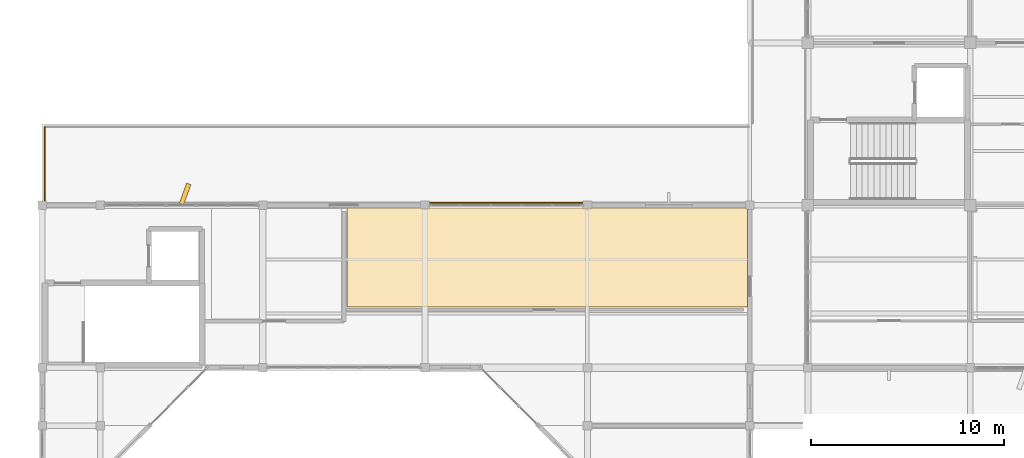
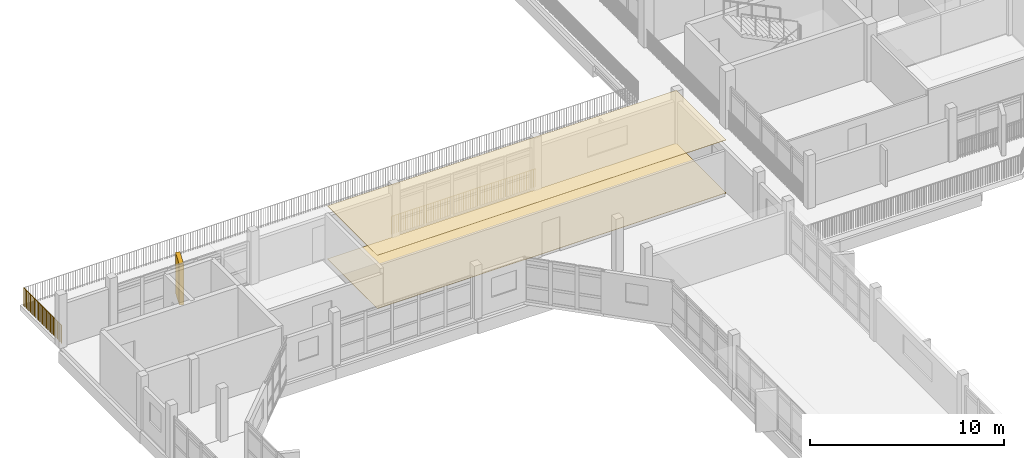
# One storey, part 25 of 33: 3 coverings, 2 railings.
"""IFC4 building model written with IfcOpenShell, lengths in metres."""

from ifc_helpers import new_model, si_unit, direction, frame, origin, origin_2d, place, context, subcontext, project, spatial, polyline, rectangle, circle, outline, extrude, material, layer, layer_set, type_object, element, save


model = new_model("IFC4")

# Units and contexts
model_context = context("Model", 3, precision=1e-05, world=origin(), true_north=direction((0.0, 1.0)))
body_context = subcontext(model_context, "Body", "Model", "MODEL_VIEW")
ifc_project = project(units=[si_unit("LENGTHUNIT", "METRE"), si_unit("AREAUNIT", "SQUARE_METRE"), si_unit("VOLUMEUNIT", "CUBIC_METRE"), si_unit("PLANEANGLEUNIT", "RADIAN"), si_unit("MASSUNIT", "GRAM", prefix="KILO")], contexts=[model_context])

# Site, building, storey
site_placement = place(None, origin())
site = spatial("IfcSite", under=ifc_project, at=site_placement, CompositionType="ELEMENT")
building_placement = place(site_placement, origin())
building = spatial("IfcBuilding", under=site, at=building_placement, Name="Vanh Quang Courtyard School", CompositionType="ELEMENT")
storey_placement = place(building_placement, frame((0.0, 0.0, 18.60009765625)))
storey = spatial("IfcBuildingStorey", under=building, at=storey_placement, Name="L05", CompositionType="ELEMENT", Elevation=18.60009765625)

# Coverings
ifc_material_1 = material(Name="Perforated mineral-fibre acoustic ceiling board")
ifc_layer_1 = layer(ifc_material_1, 0.02490234375)
ifc_layer_set_1 = layer_set([ifc_layer_1], Name="Perforated mineral-fibre acoustic ceiling board")
covering_type_1 = type_object("IfcCoveringType", Name="COV-CEIL-ACOUSTIC", PredefinedType="CEILING", material=ifc_layer_set_1)
covering_1_placement = place(storey_placement, frame((0.0, 0.0, 3.324951171875)))
element("IfcCovering", 1, at=covering_1_placement, inside=storey, type_object=covering_type_1, Name="Covering CV-CL1 (L05)", PredefinedType="CEILING", context=body_context, shape_type="SweptSolid", body=[
    extrude(outline(polyline([(53.550048828125, 79.659912109375), (53.550048828125, 79.660888671875), (53.55029296875, 79.662109375), (53.55029296875, 79.662841796875), (53.55078125, 79.663818359375), (53.55126953125, 79.664794921875), (53.5517578125, 79.66552734375), (53.55224609375, 79.666259765625), (53.552978515625, 79.6669921875), (53.5537109375, 79.667724609375), (53.554443359375, 79.668212890625), (53.555419921875, 79.668701171875), (53.55615234375, 79.669189453125), (53.55712890625, 79.669677734375), (53.55810546875, 79.669921875), (53.55908203125, 79.669921875), (53.56005859375, 79.669921875), (74.260009765625, 79.669921875), (74.260986328125, 79.669921875), (74.261962890625, 79.669921875), (74.262939453125, 79.669677734375), (74.263916015625, 79.669189453125), (74.2646484375, 79.668701171875), (74.265625, 79.668212890625), (74.266357421875, 79.667724609375), (74.26708984375, 79.6669921875), (74.267578125, 79.666259765625), (74.268310546875, 79.66552734375), (74.268798828125, 79.664794921875), (74.269287109375, 79.663818359375), (74.26953125, 79.662841796875), (74.269775390625, 79.662109375), (74.27001953125, 79.660888671875), (74.27001953125, 79.659912109375), (74.27001953125, 74.5400390625), (74.27001953125, 74.5390625), (74.269775390625, 74.5380859375), (74.26953125, 74.537109375), (74.269287109375, 74.5361328125), (74.268798828125, 74.535400390625), (74.268310546875, 74.534423828125), (74.267578125, 74.53369140625), (74.26708984375, 74.532958984375), (74.266357421875, 74.5322265625), (74.265625, 74.53173828125), (74.2646484375, 74.53125), (74.263916015625, 74.53076171875), (74.262939453125, 74.530517578125), (74.261962890625, 74.5302734375), (74.260986328125, 74.530029296875), (74.260009765625, 74.530029296875), (53.56005859375, 74.530029296875), (53.55908203125, 74.530029296875), (53.55810546875, 74.5302734375), (53.55712890625, 74.530517578125), (53.55615234375, 74.53076171875), (53.555419921875, 74.53125), (53.554443359375, 74.53173828125), (53.5537109375, 74.5322265625), (53.552978515625, 74.532958984375), (53.55224609375, 74.53369140625), (53.5517578125, 74.534423828125), (53.55126953125, 74.535400390625), (53.55078125, 74.5361328125), (53.55029296875, 74.537109375), (53.55029296875, 74.5380859375), (53.550048828125, 74.5390625), (53.550048828125, 74.5400390625), (53.550048828125, 79.659912109375)])), origin(), (0.0, 0.0, 1.0), 0.02490234375),
])
ifc_material_2 = material(Name="Polished cementitious terrazzo tile", Category="concrete")
ifc_layer_2 = layer(ifc_material_2, 0.02001953125)
ifc_layer_set_2 = layer_set([ifc_layer_2], Name="Polished cementitious terrazzo tile")
covering_type_2 = type_object("IfcCoveringType", Name="COV-FLR-TERRAZZO", PredefinedType="FLOORING", material=ifc_layer_set_2)
covering_2_placement = place(storey_placement, origin())
element("IfcCovering", 2, at=covering_2_placement, inside=storey, type_object=covering_type_2, Name="Covering CV-FL1 (L05)", PredefinedType="FLOORING", context=body_context, shape_type="SweptSolid", body=[
    extrude(outline(polyline([(53.550048828125, 79.659912109375), (53.550048828125, 79.660888671875), (53.55029296875, 79.662109375), (53.55029296875, 79.662841796875), (53.55078125, 79.663818359375), (53.55126953125, 79.664794921875), (53.5517578125, 79.66552734375), (53.55224609375, 79.666259765625), (53.552978515625, 79.6669921875), (53.5537109375, 79.667724609375), (53.554443359375, 79.668212890625), (53.555419921875, 79.668701171875), (53.55615234375, 79.669189453125), (53.55712890625, 79.669677734375), (53.55810546875, 79.669921875), (53.55908203125, 79.669921875), (53.56005859375, 79.669921875), (74.260009765625, 79.669921875), (74.260986328125, 79.669921875), (74.261962890625, 79.669921875), (74.262939453125, 79.669677734375), (74.263916015625, 79.669189453125), (74.2646484375, 79.668701171875), (74.265625, 79.668212890625), (74.266357421875, 79.667724609375), (74.26708984375, 79.6669921875), (74.267578125, 79.666259765625), (74.268310546875, 79.66552734375), (74.268798828125, 79.664794921875), (74.269287109375, 79.663818359375), (74.26953125, 79.662841796875), (74.269775390625, 79.662109375), (74.27001953125, 79.660888671875), (74.27001953125, 79.659912109375), (74.27001953125, 74.5400390625), (74.27001953125, 74.5390625), (74.269775390625, 74.5380859375), (74.26953125, 74.537109375), (74.269287109375, 74.5361328125), (74.268798828125, 74.535400390625), (74.268310546875, 74.534423828125), (74.267578125, 74.53369140625), (74.26708984375, 74.532958984375), (74.266357421875, 74.5322265625), (74.265625, 74.53173828125), (74.2646484375, 74.53125), (74.263916015625, 74.53076171875), (74.262939453125, 74.530517578125), (74.261962890625, 74.5302734375), (74.260986328125, 74.530029296875), (74.260009765625, 74.530029296875), (53.56005859375, 74.530029296875), (53.55908203125, 74.530029296875), (53.55810546875, 74.5302734375), (53.55712890625, 74.530517578125), (53.55615234375, 74.53076171875), (53.555419921875, 74.53125), (53.554443359375, 74.53173828125), (53.5537109375, 74.5322265625), (53.552978515625, 74.532958984375), (53.55224609375, 74.53369140625), (53.5517578125, 74.534423828125), (53.55126953125, 74.535400390625), (53.55078125, 74.5361328125), (53.55029296875, 74.537109375), (53.55029296875, 74.5380859375), (53.550048828125, 74.5390625), (53.550048828125, 74.5400390625), (53.550048828125, 79.659912109375)])), origin(), (0.0, 0.0, 1.0), 0.02001953125),
])
ifc_material_3 = material(Name="Board-marked precast concrete C40/50", Category="concrete")
ifc_layer_3 = layer(ifc_material_3, 0.239990234375)
ifc_layer_set_3 = layer_set([ifc_layer_3], Name="Board-marked precast concrete C40/50")
covering_type_3 = type_object("IfcCoveringType", Name="COV-HOOD-CONC", PredefinedType="CLADDING", material=ifc_layer_set_3)
covering_3_placement = place(storey_placement, frame((45.18994140625, 80.385009765625, -0.000244140625), z_axis=(0.0, 0.0, 1.0), x_axis=(0.340379550213, 0.94028812701, 0.0)))
element("IfcCovering", 3, at=covering_3_placement, inside=storey, type_object=covering_type_3, Name="Covering CH-01 (L05)", PredefinedType="CLADDING", context=body_context, shape_type="SweptSolid", body=[
    extrude(rectangle(XDim=1.11669921875, YDim=0.239990234375, at=origin_2d()), origin(), (0.0, 0.0, 1.0), 2.56005859375),
])

# Railings
ifc_material_4 = material(Name="Galvanised painted steel EN 10025-2 S355J2", Category="steel")
railing_type = type_object("IfcRailingType", Name="RAIL-GUARD-1150", PredefinedType="BALUSTRADE", material=ifc_material_4)
railing_1_placement = place(storey_placement, frame((37.93994140625, 79.981689453125, 0.0)))
element("IfcRailing", 4, at=railing_1_placement, inside=storey, type_object=railing_type, Name="Railing GR-01 (L05)", PredefinedType="BALUSTRADE", context=body_context, shape_type="SweptSolid", body=[
    extrude(circle(Radius=0.02392578125, at=origin_2d()), frame((0.0, 0.0, 1.1259765625), z_axis=(0.0, 1.0, 0.0), x_axis=(-1.0, 0.0, 0.0)), (0.0, 0.0, 1.0), 3.87841796875),
    extrude(circle(Radius=0.02099609375, at=origin_2d()), origin(), (0.0, 0.0, 1.0), 1.101806640625),
    extrude(circle(Radius=0.02099609375, at=origin_2d()), frame((0.0, 0.138427734375, 0.0)), (0.0, 0.0, 1.0), 1.101806640625),
    extrude(circle(Radius=0.02099609375, at=origin_2d()), frame((0.0, 0.277099609375, 0.0)), (0.0, 0.0, 1.0), 1.101806640625),
    extrude(circle(Radius=0.02099609375, at=origin_2d()), frame((0.0, 0.41552734375, 0.0)), (0.0, 0.0, 1.0), 1.101806640625),
    extrude(circle(Radius=0.02099609375, at=origin_2d()), frame((0.0, 0.553955078125, 0.0)), (0.0, 0.0, 1.0), 1.101806640625),
    extrude(circle(Radius=0.02099609375, at=origin_2d()), frame((0.0, 0.692626953125, 0.0)), (0.0, 0.0, 1.0), 1.101806640625),
    extrude(circle(Radius=0.02099609375, at=origin_2d()), frame((0.0, 0.8310546875, 0.0)), (0.0, 0.0, 1.0), 1.101806640625),
    extrude(circle(Radius=0.02099609375, at=origin_2d()), frame((0.0, 0.9697265625, 0.0)), (0.0, 0.0, 1.0), 1.101806640625),
    extrude(circle(Radius=0.02099609375, at=origin_2d()), frame((0.0, 1.108154296875, 0.0)), (0.0, 0.0, 1.0), 1.101806640625),
    extrude(circle(Radius=0.02099609375, at=origin_2d()), frame((0.0, 1.24658203125, 0.0)), (0.0, 0.0, 1.0), 1.101806640625),
    extrude(circle(Radius=0.02099609375, at=origin_2d()), frame((0.0, 1.38525390625, 0.0)), (0.0, 0.0, 1.0), 1.101806640625),
    extrude(circle(Radius=0.02099609375, at=origin_2d()), frame((0.0, 1.523681640625, 0.0)), (0.0, 0.0, 1.0), 1.101806640625),
    extrude(circle(Radius=0.02099609375, at=origin_2d()), frame((0.0, 1.662109375, 0.0)), (0.0, 0.0, 1.0), 1.101806640625),
    extrude(circle(Radius=0.02099609375, at=origin_2d()), frame((0.0, 1.80078125, 0.0)), (0.0, 0.0, 1.0), 1.101806640625),
    extrude(circle(Radius=0.02099609375, at=origin_2d()), frame((0.0, 1.939208984375, 0.0)), (0.0, 0.0, 1.0), 1.101806640625),
    extrude(circle(Radius=0.02099609375, at=origin_2d()), frame((0.0, 2.07763671875, 0.0)), (0.0, 0.0, 1.0), 1.101806640625),
    extrude(circle(Radius=0.02099609375, at=origin_2d()), frame((0.0, 2.21630859375, 0.0)), (0.0, 0.0, 1.0), 1.101806640625),
    extrude(circle(Radius=0.02099609375, at=origin_2d()), frame((0.0, 2.354736328125, 0.0)), (0.0, 0.0, 1.0), 1.101806640625),
    extrude(circle(Radius=0.02099609375, at=origin_2d()), frame((0.0, 2.4931640625, 0.0)), (0.0, 0.0, 1.0), 1.101806640625),
    extrude(circle(Radius=0.02099609375, at=origin_2d()), frame((0.0, 2.6318359375, 0.0)), (0.0, 0.0, 1.0), 1.101806640625),
    extrude(circle(Radius=0.02099609375, at=origin_2d()), frame((0.0, 2.770263671875, 0.0)), (0.0, 0.0, 1.0), 1.101806640625),
    extrude(circle(Radius=0.02099609375, at=origin_2d()), frame((0.0, 2.90869140625, 0.0)), (0.0, 0.0, 1.0), 1.101806640625),
    extrude(circle(Radius=0.02099609375, at=origin_2d()), frame((0.0, 3.04736328125, 0.0)), (0.0, 0.0, 1.0), 1.101806640625),
    extrude(circle(Radius=0.02099609375, at=origin_2d()), frame((0.0, 3.185791015625, 0.0)), (0.0, 0.0, 1.0), 1.101806640625),
    extrude(circle(Radius=0.02099609375, at=origin_2d()), frame((0.0, 3.324462890625, 0.0)), (0.0, 0.0, 1.0), 1.101806640625),
    extrude(circle(Radius=0.02099609375, at=origin_2d()), frame((0.0, 3.462890625, 0.0)), (0.0, 0.0, 1.0), 1.101806640625),
    extrude(circle(Radius=0.02099609375, at=origin_2d()), frame((0.0, 3.601318359375, 0.0)), (0.0, 0.0, 1.0), 1.101806640625),
    extrude(circle(Radius=0.02099609375, at=origin_2d()), frame((0.0, 3.739990234375, 0.0)), (0.0, 0.0, 1.0), 1.101806640625),
    extrude(circle(Radius=0.02099609375, at=origin_2d()), frame((0.0, 3.87841796875, 0.0)), (0.0, 0.0, 1.0), 1.101806640625),
])
railing_2_placement = place(storey_placement, frame((66.080322265625, 79.93994140625, 0.0)))
element("IfcRailing", 5, at=railing_2_placement, inside=storey, type_object=railing_type, Name="Railing GR-01 (L05)", PredefinedType="BALUSTRADE", context=body_context, shape_type="SweptSolid", body=[
    extrude(circle(Radius=0.02392578125, at=origin_2d()), frame((0.0, 0.0, 1.1259765625), z_axis=(-1.0, 0.0, 0.0), x_axis=(0.0, -1.0, 0.0)), (0.0, 0.0, 1.0), 8.560546875),
    extrude(circle(Radius=0.02099609375, at=origin_2d()), origin(), (0.0, 0.0, 1.0), 1.101806640625),
    extrude(circle(Radius=0.02099609375, at=origin_2d()), frame((-0.13818359375, 0.0, 0.0)), (0.0, 0.0, 1.0), 1.101806640625),
    extrude(circle(Radius=0.02099609375, at=origin_2d()), frame((-0.276123046875, 0.0, 0.0)), (0.0, 0.0, 1.0), 1.101806640625),
    extrude(circle(Radius=0.02099609375, at=origin_2d()), frame((-0.414306640625, 0.0, 0.0)), (0.0, 0.0, 1.0), 1.101806640625),
    extrude(circle(Radius=0.02099609375, at=origin_2d()), frame((-0.55224609375, 0.0, 0.0)), (0.0, 0.0, 1.0), 1.101806640625),
    extrude(circle(Radius=0.02099609375, at=origin_2d()), frame((-0.6904296875, 0.0, 0.0)), (0.0, 0.0, 1.0), 1.101806640625),
    extrude(circle(Radius=0.02099609375, at=origin_2d()), frame((-0.828369140625, 0.0, 0.0)), (0.0, 0.0, 1.0), 1.101806640625),
    extrude(circle(Radius=0.02099609375, at=origin_2d()), frame((-0.966552734375, 0.0, 0.0)), (0.0, 0.0, 1.0), 1.101806640625),
    extrude(circle(Radius=0.02099609375, at=origin_2d()), frame((-1.1044921875, 0.0, 0.0)), (0.0, 0.0, 1.0), 1.101806640625),
    extrude(circle(Radius=0.02099609375, at=origin_2d()), frame((-1.24267578125, 0.0, 0.0)), (0.0, 0.0, 1.0), 1.101806640625),
    extrude(circle(Radius=0.02099609375, at=origin_2d()), frame((-1.380615234375, 0.0, 0.0)), (0.0, 0.0, 1.0), 1.101806640625),
    extrude(circle(Radius=0.02099609375, at=origin_2d()), frame((-1.518798828125, 0.0, 0.0)), (0.0, 0.0, 1.0), 1.101806640625),
    extrude(circle(Radius=0.02099609375, at=origin_2d()), frame((-1.656982421875, 0.0, 0.0)), (0.0, 0.0, 1.0), 1.101806640625),
    extrude(circle(Radius=0.02099609375, at=origin_2d()), frame((-1.794921875, 0.0, 0.0)), (0.0, 0.0, 1.0), 1.101806640625),
    extrude(circle(Radius=0.02099609375, at=origin_2d()), frame((-1.93310546875, 0.0, 0.0)), (0.0, 0.0, 1.0), 1.101806640625),
    extrude(circle(Radius=0.02099609375, at=origin_2d()), frame((-2.071044921875, 0.0, 0.0)), (0.0, 0.0, 1.0), 1.101806640625),
    extrude(circle(Radius=0.02099609375, at=origin_2d()), frame((-2.209228515625, 0.0, 0.0)), (0.0, 0.0, 1.0), 1.101806640625),
    extrude(circle(Radius=0.02099609375, at=origin_2d()), frame((-2.34716796875, 0.0, 0.0)), (0.0, 0.0, 1.0), 1.101806640625),
    extrude(circle(Radius=0.02099609375, at=origin_2d()), frame((-2.4853515625, 0.0, 0.0)), (0.0, 0.0, 1.0), 1.101806640625),
    extrude(circle(Radius=0.02099609375, at=origin_2d()), frame((-2.623291015625, 0.0, 0.0)), (0.0, 0.0, 1.0), 1.101806640625),
    extrude(circle(Radius=0.02099609375, at=origin_2d()), frame((-2.761474609375, 0.0, 0.0)), (0.0, 0.0, 1.0), 1.101806640625),
    extrude(circle(Radius=0.02099609375, at=origin_2d()), frame((-2.899658203125, 0.0, 0.0)), (0.0, 0.0, 1.0), 1.101806640625),
    extrude(circle(Radius=0.02099609375, at=origin_2d()), frame((-3.03759765625, 0.0, 0.0)), (0.0, 0.0, 1.0), 1.101806640625),
    extrude(circle(Radius=0.02099609375, at=origin_2d()), frame((-3.17578125, 0.0, 0.0)), (0.0, 0.0, 1.0), 1.101806640625),
    extrude(circle(Radius=0.02099609375, at=origin_2d()), frame((-3.313720703125, 0.0, 0.0)), (0.0, 0.0, 1.0), 1.101806640625),
    extrude(circle(Radius=0.02099609375, at=origin_2d()), frame((-3.451904296875, 0.0, 0.0)), (0.0, 0.0, 1.0), 1.101806640625),
    extrude(circle(Radius=0.02099609375, at=origin_2d()), frame((-3.58984375, 0.0, 0.0)), (0.0, 0.0, 1.0), 1.101806640625),
    extrude(circle(Radius=0.02099609375, at=origin_2d()), frame((-3.72802734375, 0.0, 0.0)), (0.0, 0.0, 1.0), 1.101806640625),
    extrude(circle(Radius=0.02099609375, at=origin_2d()), frame((-3.865966796875, 0.0, 0.0)), (0.0, 0.0, 1.0), 1.101806640625),
    extrude(circle(Radius=0.02099609375, at=origin_2d()), frame((-4.004150390625, 0.0, 0.0)), (0.0, 0.0, 1.0), 1.101806640625),
    extrude(circle(Radius=0.02099609375, at=origin_2d()), frame((-4.14208984375, 0.0, 0.0)), (0.0, 0.0, 1.0), 1.101806640625),
    extrude(circle(Radius=0.02099609375, at=origin_2d()), frame((-4.2802734375, 0.0, 0.0)), (0.0, 0.0, 1.0), 1.101806640625),
    extrude(circle(Radius=0.02099609375, at=origin_2d()), frame((-4.41845703125, 0.0, 0.0)), (0.0, 0.0, 1.0), 1.101806640625),
    extrude(circle(Radius=0.02099609375, at=origin_2d()), frame((-4.556396484375, 0.0, 0.0)), (0.0, 0.0, 1.0), 1.101806640625),
    extrude(circle(Radius=0.02099609375, at=origin_2d()), frame((-4.694580078125, 0.0, 0.0)), (0.0, 0.0, 1.0), 1.101806640625),
    extrude(circle(Radius=0.02099609375, at=origin_2d()), frame((-4.83251953125, 0.0, 0.0)), (0.0, 0.0, 1.0), 1.101806640625),
    extrude(circle(Radius=0.02099609375, at=origin_2d()), frame((-4.970703125, 0.0, 0.0)), (0.0, 0.0, 1.0), 1.101806640625),
    extrude(circle(Radius=0.02099609375, at=origin_2d()), frame((-5.108642578125, 0.0, 0.0)), (0.0, 0.0, 1.0), 1.101806640625),
    extrude(circle(Radius=0.02099609375, at=origin_2d()), frame((-5.246826171875, 0.0, 0.0)), (0.0, 0.0, 1.0), 1.101806640625),
    extrude(circle(Radius=0.02099609375, at=origin_2d()), frame((-5.384765625, 0.0, 0.0)), (0.0, 0.0, 1.0), 1.101806640625),
    extrude(circle(Radius=0.02099609375, at=origin_2d()), frame((-5.52294921875, 0.0, 0.0)), (0.0, 0.0, 1.0), 1.101806640625),
    extrude(circle(Radius=0.02099609375, at=origin_2d()), frame((-5.660888671875, 0.0, 0.0)), (0.0, 0.0, 1.0), 1.101806640625),
    extrude(circle(Radius=0.02099609375, at=origin_2d()), frame((-5.799072265625, 0.0, 0.0)), (0.0, 0.0, 1.0), 1.101806640625),
    extrude(circle(Radius=0.02099609375, at=origin_2d()), frame((-5.937255859375, 0.0, 0.0)), (0.0, 0.0, 1.0), 1.101806640625),
    extrude(circle(Radius=0.02099609375, at=origin_2d()), frame((-6.0751953125, 0.0, 0.0)), (0.0, 0.0, 1.0), 1.101806640625),
    extrude(circle(Radius=0.02099609375, at=origin_2d()), frame((-6.21337890625, 0.0, 0.0)), (0.0, 0.0, 1.0), 1.101806640625),
    extrude(circle(Radius=0.02099609375, at=origin_2d()), frame((-6.351318359375, 0.0, 0.0)), (0.0, 0.0, 1.0), 1.101806640625),
    extrude(circle(Radius=0.02099609375, at=origin_2d()), frame((-6.489501953125, 0.0, 0.0)), (0.0, 0.0, 1.0), 1.101806640625),
    extrude(circle(Radius=0.02099609375, at=origin_2d()), frame((-6.62744140625, 0.0, 0.0)), (0.0, 0.0, 1.0), 1.101806640625),
    extrude(circle(Radius=0.02099609375, at=origin_2d()), frame((-6.765625, 0.0, 0.0)), (0.0, 0.0, 1.0), 1.101806640625),
    extrude(circle(Radius=0.02099609375, at=origin_2d()), frame((-6.903564453125, 0.0, 0.0)), (0.0, 0.0, 1.0), 1.101806640625),
    extrude(circle(Radius=0.02099609375, at=origin_2d()), frame((-7.041748046875, 0.0, 0.0)), (0.0, 0.0, 1.0), 1.101806640625),
    extrude(circle(Radius=0.02099609375, at=origin_2d()), frame((-7.179931640625, 0.0, 0.0)), (0.0, 0.0, 1.0), 1.101806640625),
    extrude(circle(Radius=0.02099609375, at=origin_2d()), frame((-7.31787109375, 0.0, 0.0)), (0.0, 0.0, 1.0), 1.101806640625),
    extrude(circle(Radius=0.02099609375, at=origin_2d()), frame((-7.4560546875, 0.0, 0.0)), (0.0, 0.0, 1.0), 1.101806640625),
    extrude(circle(Radius=0.02099609375, at=origin_2d()), frame((-7.593994140625, 0.0, 0.0)), (0.0, 0.0, 1.0), 1.101806640625),
    extrude(circle(Radius=0.02099609375, at=origin_2d()), frame((-7.732177734375, 0.0, 0.0)), (0.0, 0.0, 1.0), 1.101806640625),
    extrude(circle(Radius=0.02099609375, at=origin_2d()), frame((-7.8701171875, 0.0, 0.0)), (0.0, 0.0, 1.0), 1.101806640625),
    extrude(circle(Radius=0.02099609375, at=origin_2d()), frame((-8.00830078125, 0.0, 0.0)), (0.0, 0.0, 1.0), 1.101806640625),
    extrude(circle(Radius=0.02099609375, at=origin_2d()), frame((-8.146240234375, 0.0, 0.0)), (0.0, 0.0, 1.0), 1.101806640625),
    extrude(circle(Radius=0.02099609375, at=origin_2d()), frame((-8.284423828125, 0.0, 0.0)), (0.0, 0.0, 1.0), 1.101806640625),
    extrude(circle(Radius=0.02099609375, at=origin_2d()), frame((-8.42236328125, 0.0, 0.0)), (0.0, 0.0, 1.0), 1.101806640625),
    extrude(circle(Radius=0.02099609375, at=origin_2d()), frame((-8.560546875, 0.0, 0.0)), (0.0, 0.0, 1.0), 1.101806640625),
])

save(model, "model.ifc")
